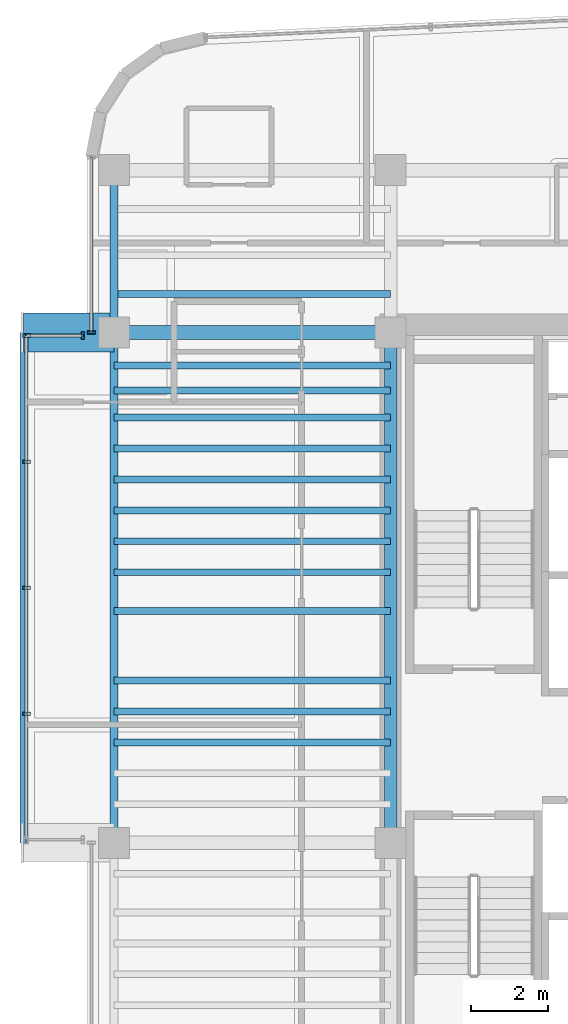
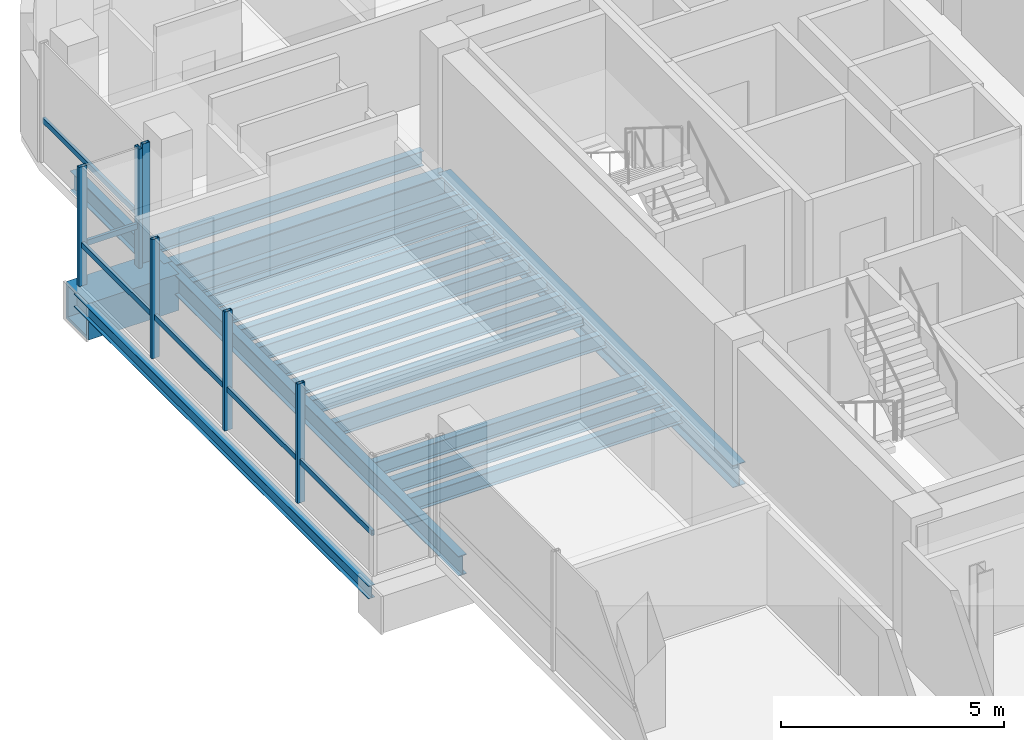
# One storey, part 6 of 18: 19 beams, 9 members, 3 elements without a shape of their own.
"""IFC4 building model written with IfcOpenShell, lengths in metres."""

from ifc_helpers import new_model, si_unit, direction, frame, origin, origin_2d, place, context, subcontext, project, spatial, hollow_rectangle, i_section, extrude, source, transform, mapped, material, material_profile, profile_set, type_object, element, aggregate, save


model = new_model("IFC4")

# Units and contexts
model_context = context("Model", 3, precision=1e-05, world=origin(), true_north=direction((0.0, 1.0)))
body_context = subcontext(model_context, "Body", "Model", "MODEL_VIEW")
ifc_project = project(units=[si_unit("LENGTHUNIT", "METRE"), si_unit("AREAUNIT", "SQUARE_METRE"), si_unit("VOLUMEUNIT", "CUBIC_METRE"), si_unit("PLANEANGLEUNIT", "RADIAN"), si_unit("MASSUNIT", "GRAM", prefix="KILO")], contexts=[model_context])

# Site, building, storey
site_placement = place(None, origin())
site = spatial("IfcSite", under=ifc_project, at=site_placement, CompositionType="ELEMENT")
building_placement = place(site_placement, origin())
building = spatial("IfcBuilding", under=site, at=building_placement, Name="Valdorenza Pilgrim Sanctuary Tower", CompositionType="ELEMENT")
storey_placement = place(building_placement, frame((0.0, 0.0, 247.5)))
storey = spatial("IfcBuildingStorey", under=building, at=storey_placement, Name="L64", CompositionType="ELEMENT", Elevation=247.5)

# Beams
ifc_material_1 = material(Name="Steel ASTM A992 Grade 50", Category="steel")
ifc_material_profile_1 = material_profile(ifc_material_1, i_section(OverallWidth=0.323974609375, OverallDepth=0.611083984375, WebThickness=0.0126953125, FlangeThickness=0.01904296875, at=origin_2d()), Name="W24X104")
ifc_profile_set_1 = profile_set([ifc_material_profile_1], Name="Steel ASTM A992 Grade 50")
beam_type_1 = type_object("IfcBeamType", Name="STR-BM-GRD-W24B", PredefinedType="BEAM", material=ifc_profile_set_1)
shared_shape_1 = source(origin(), body_context, "Body", "SweptSolid", [
    extrude(i_section(OverallWidth=0.323974609375, OverallDepth=0.611083984375, WebThickness=0.0126953125, FlangeThickness=0.01904296875, at=origin_2d()), origin(), (0.0, 0.0, 1.0), 13.2001953125),
])
beam_1_placement = place(storey_placement, frame((-22.64990234375, -2.60009765625, -0.54541015625), z_axis=(0.0, 1.0, 0.0), x_axis=(-1.0, 0.0, 0.0)))
element("IfcBeam", 1, at=beam_1_placement, inside=storey, type_object=beam_type_1, Name="L64 Core Tie Girder CA-W-M0N1", PredefinedType="BEAM", context=body_context, shape_type="MappedRepresentation", body=[
    mapped(shared_shape_1, transform((0.0, 0.0, 0.0), x_axis=(1.0, 0.0, 0.0), y_axis=(0.0, 1.0, 0.0), z_axis=(0.0, 0.0, 1.0), scale=1.0)),
])
ifc_material_profile_2 = material_profile(ifc_material_1, i_section(OverallWidth=0.1708984375, OverallDepth=0.35107421875, WebThickness=0.0068359375, FlangeThickness=0.009765625, at=origin_2d()), Name="W14X30")
ifc_profile_set_2 = profile_set([ifc_material_profile_2], Name="Steel ASTM A992 Grade 50")
beam_type_2 = type_object("IfcBeamType", Name="STR-BM-BOX-W14", PredefinedType="BEAM", material=ifc_profile_set_2)
shared_shape_2 = source(origin(), body_context, "Body", "SweptSolid", [
    extrude(i_section(OverallWidth=0.1708984375, OverallDepth=0.35107421875, WebThickness=0.0068359375, FlangeThickness=0.009765625, at=origin_2d()), origin(), (0.0, 0.0, 1.0), 13.2001953125),
])
beam_2_placement = place(storey_placement, frame((-32.14990234375, -2.60009765625, -0.41552734375), z_axis=(0.0, 1.0, 0.0), x_axis=(-1.0, 0.0, 0.0)))
element("IfcBeam", 2, at=beam_2_placement, inside=storey, type_object=beam_type_2, Name="L64 Glass Box Edge Beam BOX-WA-L64-F", PredefinedType="BEAM", context=body_context, shape_type="MappedRepresentation", body=[
    mapped(shared_shape_2, transform((0.0, 0.0, 0.0), x_axis=(1.0, 0.0, 0.0), y_axis=(0.0, 1.0, 0.0), z_axis=(0.0, 0.0, 1.0), scale=1.0)),
])
ifc_material_profile_3 = material_profile(ifc_material_1, i_section(OverallWidth=0.2109375, OverallDepth=0.5390625, WebThickness=0.01171875, FlangeThickness=0.018798828125, at=origin_2d()), Name="W21X73")
ifc_profile_set_3 = profile_set([ifc_material_profile_3], Name="Steel ASTM A992 Grade 50")
beam_type_3 = type_object("IfcBeamType", Name="STR-BM-SPN-W21B", PredefinedType="SPANDREL", material=ifc_profile_set_3)
shared_shape_3 = source(origin(), body_context, "Body", "SweptSolid", [
    extrude(i_section(OverallWidth=0.2109375, OverallDepth=0.5390625, WebThickness=0.01171875, FlangeThickness=0.018798828125, at=origin_2d()), origin(), (0.0, 0.0, 1.0), 13.2001953125),
])
beam_3_placement = place(storey_placement, frame((-29.800048828125, -2.60009765625, -0.509521484375), z_axis=(0.0, 1.0, 0.0), x_axis=(-1.0, 0.0, 0.0)))
element("IfcBeam", 3, at=beam_3_placement, inside=storey, type_object=beam_type_3, Name="L64 Spandrel Beam WA-W-M0N1", PredefinedType="SPANDREL", context=body_context, shape_type="MappedRepresentation", body=[
    mapped(shared_shape_3, transform((0.0, 0.0, 0.0), x_axis=(1.0, 0.0, 0.0), y_axis=(0.0, 1.0, 0.0), z_axis=(0.0, 0.0, 1.0), scale=1.0)),
])
shared_shape_4 = source(origin(), body_context, "Body", "SweptSolid", [
    extrude(i_section(OverallWidth=0.2109375, OverallDepth=0.5390625, WebThickness=0.01171875, FlangeThickness=0.018798828125, at=origin_2d()), origin(), (0.0, 0.0, 1.0), 4.199951171875),
])
beam_4_placement = place(storey_placement, frame((-29.800048828125, 10.60009765625, -0.509521484375), z_axis=(0.0, 1.0, 0.0), x_axis=(-1.0, 0.0, 0.0)))
element("IfcBeam", 4, at=beam_4_placement, inside=storey, type_object=beam_type_3, Name="L64 Spandrel Beam WA-W-N1N2", PredefinedType="SPANDREL", context=body_context, shape_type="MappedRepresentation", body=[
    mapped(shared_shape_4, transform((0.0, 0.0, 0.0), x_axis=(1.0, 0.0, 0.0), y_axis=(0.0, 1.0, 0.0), z_axis=(0.0, 0.0, 1.0), scale=1.0)),
])
ifc_material_profile_4 = material_profile(ifc_material_1, i_section(OverallWidth=0.35595703125, OverallDepth=0.700927734375, WebThickness=0.016845703125, FlangeThickness=0.02734375, at=origin_2d()), Name="W27X161")
ifc_profile_set_4 = profile_set([ifc_material_profile_4], Name="Steel ASTM A992 Grade 50")
beam_type_4 = type_object("IfcBeamType", Name="STR-BM-GRD-W27", PredefinedType="BEAM", material=ifc_profile_set_4)
shared_shape_5 = source(origin(), body_context, "Body", "SweptSolid", [
    extrude(i_section(OverallWidth=0.35595703125, OverallDepth=0.700927734375, WebThickness=0.016845703125, FlangeThickness=0.02734375, at=origin_2d()), origin(), (0.0, 0.0, 1.0), 7.150146484375),
])
beam_5_placement = place(storey_placement, frame((-29.800048828125, 10.60009765625, -0.590576171875), z_axis=(1.0, 0.0, 0.0), x_axis=(0.0, 1.0, 0.0)))
element("IfcBeam", 5, at=beam_5_placement, inside=storey, type_object=beam_type_4, Name="L64 Floor Girder WA-XW-N1", PredefinedType="BEAM", context=body_context, shape_type="MappedRepresentation", body=[
    mapped(shared_shape_5, transform((0.0, 0.0, 0.0), x_axis=(1.0, 0.0, 0.0), y_axis=(0.0, 1.0, 0.0), z_axis=(0.0, 0.0, 1.0), scale=1.0)),
])
ifc_material_profile_5 = material_profile(ifc_material_1, i_section(OverallWidth=0.177978515625, OverallDepth=0.406005859375, WebThickness=0.0078125, FlangeThickness=0.0126953125, at=origin_2d()), Name="W16X40")
ifc_profile_set_5 = profile_set([ifc_material_profile_5], Name="Steel ASTM A992 Grade 50")
beam_type_5 = type_object("IfcBeamType", Name="STR-BM-JST-W16", PredefinedType="JOIST", material=ifc_profile_set_5)
shared_shape_6 = source(origin(), body_context, "Body", "SweptSolid", [
    extrude(i_section(OverallWidth=0.177978515625, OverallDepth=0.406005859375, WebThickness=0.0078125, FlangeThickness=0.0126953125, at=origin_2d()), origin(), (0.0, 0.0, 1.0), 7.150146484375),
])
for number, where, z_axis, x_axis, name in (
    (6, (-29.800048828125, 0.0, -0.443115234375), (1.0, 0.0, 0.0), (0.0, 1.0, 0.0), "L64 Composite Floor Joist JST-WA-12"),
    (7, (-29.800048828125, 0.800048828125, -0.443115234375), (1.0, 0.0, 0.0), (0.0, 1.0, 0.0), "L64 Composite Floor Joist JST-WA-13"),
    (8, (-29.800048828125, 1.60009765625, -0.443115234375), (1.0, 0.0, 0.0), (0.0, 1.0, 0.0), "L64 Composite Floor Joist JST-WA-14"),
    (9, (-29.800048828125, 3.39990234375, -0.443115234375), (1.0, 0.0, 0.0), (0.0, 1.0, 0.0), "L64 Composite Floor Joist JST-WA-15"),
    (10, (-29.800048828125, 4.39990234375, -0.443115234375), (1.0, 0.0, 0.0), (0.0, 1.0, 0.0), "L64 Composite Floor Joist JST-WA-16"),
    (11, (-29.800048828125, 5.199951171875, -0.443115234375), (1.0, 0.0, 0.0), (0.0, 1.0, 0.0), "L64 Composite Floor Joist JST-WA-17"),
    (12, (-29.800048828125, 6.0, -0.443115234375), (1.0, 0.0, 0.0), (0.0, 1.0, 0.0), "L64 Composite Floor Joist JST-WA-18"),
    (13, (-29.800048828125, 6.800048828125, -0.443115234375), (1.0, 0.0, 0.0), (0.0, 1.0, 0.0), "L64 Composite Floor Joist JST-WA-19"),
    (14, (-29.800048828125, 7.60009765625, -0.443115234375), (1.0, 0.0, 0.0), (0.0, 1.0, 0.0), "L64 Composite Floor Joist JST-WA-20"),
    (15, (-29.800048828125, 8.39990234375, -0.443115234375), (1.0, 0.0, 0.0), (0.0, 1.0, 0.0), "L64 Composite Floor Joist JST-WA-21"),
    (16, (-29.800048828125, 9.10009765625, -0.443115234375), (1.0, 0.0, 0.0), (0.0, 1.0, 0.0), "L64 Composite Floor Joist JST-WA-22"),
    (17, (-29.800048828125, 9.75, -0.443115234375), (1.0, 0.0, 0.0), (0.0, 1.0, 0.0), "L64 Composite Floor Joist JST-WA-23"),
    (18, (-29.800048828125, 11.60009765625, -0.443115234375), (1.0, 0.0, 0.0), (0.0, 1.0, 0.0), "L64 Composite Floor Joist JST-WA-24"),
):
    element("IfcBeam", number, at=place(storey_placement, frame(where, z_axis=z_axis, x_axis=x_axis)), inside=storey, type_object=beam_type_5, Name=name, PredefinedType="JOIST", context=body_context, shape_type="MappedRepresentation", body=[
        mapped(shared_shape_6, transform((0.0, 0.0, 0.0), x_axis=(1.0, 0.0, 0.0), y_axis=(0.0, 1.0, 0.0), z_axis=(0.0, 0.0, 1.0), scale=1.0)),
    ])
ifc_material_2 = material(Name="Steel ASTM A572 Grade 42", Category="steel")
ifc_material_profile_6 = material_profile(ifc_material_2, hollow_rectangle(XDim=1.0, YDim=1.0, WallThickness=0.080078125, at=origin_2d()), Name="BOX 1000x1000x80")
ifc_profile_set_6 = profile_set([ifc_material_profile_6], Name="Steel ASTM A572 Grade 42")
beam_type_6 = type_object("IfcBeamType", Name="STR-BM-PROW-CANT", PredefinedType="BEAM", material=ifc_profile_set_6)
shared_shape_7 = source(origin(), body_context, "Body", "SweptSolid", [
    extrude(hollow_rectangle(XDim=1.0, YDim=1.0, WallThickness=0.080078125, at=origin_2d()), origin(), (0.0, 0.0, 1.0), 2.349853515625),
])
beam_6_placement = place(storey_placement, frame((-29.800048828125, 10.60009765625, -0.739990234375), z_axis=(-1.0, 0.0, 0.0), x_axis=(0.0, -1.0, 0.0)))
element("IfcBeam", 19, at=beam_6_placement, inside=storey, type_object=beam_type_6, Name="L64 Glass Box Cantilever Beam BOX-WA-L64-CT-N", PredefinedType="BEAM", context=body_context, shape_type="MappedRepresentation", body=[
    mapped(shared_shape_7, transform((0.0, 0.0, 0.0), x_axis=(1.0, 0.0, 0.0), y_axis=(0.0, 1.0, 0.0), z_axis=(0.0, 0.0, 1.0), scale=1.0)),
])

# Curtain wall, member
ifc_material_3 = material(Name="Curtain-wall IGU glazing", Category="glass")
curtain_wall_type = type_object("IfcCurtainWallType", Name="CW-SYS-02", PredefinedType="NOTDEFINED", material=ifc_material_3)
curtain_wall_1_placement = place(storey_placement, origin())
curtain_wall_1 = element("IfcCurtainWall", 20, at=curtain_wall_1_placement, inside=storey, type_object=curtain_wall_type, Name="L64 Curtain Wall CW-L64-BOX-WA-L64-N", PredefinedType="NOTDEFINED")
ifc_material_4 = material(Name="Anodised aluminium AW-6060", Category="aluminium")
ifc_material_profile_7 = material_profile(ifc_material_4, hollow_rectangle(XDim=0.074951171875, YDim=0.14990234375, WallThickness=0.00390625, at=origin_2d()), Name="ALU-T 150x75x4")
ifc_profile_set_7 = profile_set([ifc_material_profile_7], Name="Anodised aluminium AW-6060")
member_type_1 = type_object("IfcMemberType", Name="CW-TRN-02", PredefinedType="USERDEFINED", material=ifc_profile_set_7)
shared_shape_8 = source(origin(), body_context, "Body", "SweptSolid", [
    extrude(hollow_rectangle(XDim=0.074951171875, YDim=0.14990234375, WallThickness=0.00390625, at=origin_2d()), origin(), (0.0, 0.0, 1.0), 1.4599609375),
])
member_1_placement = place(storey_placement, frame((-32.070068359375, 10.52001953125, 1.1201171875), z_axis=(1.0, 0.0, 0.0), x_axis=(0.0, 1.0, 0.0)))
member_1 = element("IfcMember", 21, at=member_1_placement, type_object=member_type_1, Name="CW-L64-BOX-WA-L64-N Transom 1", ObjectType="TRANSOM", PredefinedType="USERDEFINED", context=body_context, shape_type="MappedRepresentation", body=[
    mapped(shared_shape_8, transform((0.0, 0.0, 0.0), x_axis=(1.0, 0.0, 0.0), y_axis=(0.0, 1.0, 0.0), z_axis=(0.0, 0.0, 1.0), scale=1.0)),
])

curtain_wall_2_placement = place(storey_placement, origin())
curtain_wall_2 = element("IfcCurtainWall", 22, at=curtain_wall_2_placement, inside=storey, type_object=curtain_wall_type, Name="L64 Curtain Wall CW-L64-BOX-WA-L64-F", PredefinedType="NOTDEFINED")
shared_shape_9 = source(origin(), body_context, "Body", "SweptSolid", [
    extrude(hollow_rectangle(XDim=0.074951171875, YDim=0.14990234375, WallThickness=0.00390625, at=origin_2d()), origin(), (0.0, 0.0, 1.0), 13.0400390625),
])
member_2_placement = place(storey_placement, frame((-32.070068359375, -2.52001953125, 1.1201171875), z_axis=(0.0, 1.0, 0.0), x_axis=(-1.0, 0.0, 0.0)))
member_2 = element("IfcMember", 23, at=member_2_placement, type_object=member_type_1, Name="CW-L64-BOX-WA-L64-F Transom 1", ObjectType="TRANSOM", PredefinedType="USERDEFINED", context=body_context, shape_type="MappedRepresentation", body=[
    mapped(shared_shape_9, transform((0.0, 0.0, 0.0), x_axis=(1.0, 0.0, 0.0), y_axis=(0.0, 1.0, 0.0), z_axis=(0.0, 0.0, 1.0), scale=1.0)),
])

curtain_wall_3_placement = place(storey_placement, origin())
curtain_wall_3 = element("IfcCurtainWall", 24, at=curtain_wall_3_placement, inside=storey, type_object=curtain_wall_type, Name="L64 Curtain Wall CW-L64-1-1S2", PredefinedType="NOTDEFINED")
ifc_material_profile_8 = material_profile(ifc_material_4, hollow_rectangle(XDim=0.0849609375, YDim=0.199951171875, WallThickness=0.0048828125, at=origin_2d()), Name="ALU-M 200x85x5")
ifc_profile_set_8 = profile_set([ifc_material_profile_8], Name="Anodised aluminium AW-6060")
member_type_2 = type_object("IfcMemberType", Name="CW-MUL-02", PredefinedType="MULLION", material=ifc_profile_set_8)
shared_shape_10 = source(origin(), body_context, "Body", "SweptSolid", [
    extrude(hollow_rectangle(XDim=0.0849609375, YDim=0.199951171875, WallThickness=0.0048828125, at=origin_2d()), origin(), (0.0, 0.0, 1.0), 3.260009765625),
])
member_3_placement = place(storey_placement, frame((-30.389892578125, 10.60009765625, 0.0), z_axis=(0.0, 0.0, 1.0), x_axis=(0.0, 1.0, 0.0)))
member_3 = element("IfcMember", 25, at=member_3_placement, type_object=member_type_2, Name="CW-L64-1-1S2 Mullion 1", PredefinedType="MULLION", context=body_context, shape_type="MappedRepresentation", body=[
    mapped(shared_shape_10, transform((0.0, 0.0, 0.0), x_axis=(1.0, 0.0, 0.0), y_axis=(0.0, 1.0, 0.0), z_axis=(0.0, 0.0, 1.0), scale=1.0)),
])

# Member
member_4_placement = place(storey_placement, frame((-32.070068359375, 0.739990234375, 0.0), z_axis=(0.0, 0.0, 1.0), x_axis=(0.0, 1.0, 0.0)))
member_4 = element("IfcMember", 26, at=member_4_placement, type_object=member_type_2, Name="CW-L64-BOX-WA-L64-F Mullion 2", PredefinedType="MULLION", context=body_context, shape_type="MappedRepresentation", body=[
    mapped(shared_shape_10, transform((0.0, 0.0, 0.0), x_axis=(1.0, 0.0, 0.0), y_axis=(0.0, 1.0, 0.0), z_axis=(0.0, 0.0, 1.0), scale=1.0)),
])

member_5_placement = place(storey_placement, frame((-32.070068359375, 4.0, 0.0), z_axis=(0.0, 0.0, 1.0), x_axis=(0.0, 1.0, 0.0)))
member_5 = element("IfcMember", 27, at=member_5_placement, type_object=member_type_2, Name="CW-L64-BOX-WA-L64-F Mullion 3", PredefinedType="MULLION", context=body_context, shape_type="MappedRepresentation", body=[
    mapped(shared_shape_10, transform((0.0, 0.0, 0.0), x_axis=(1.0, 0.0, 0.0), y_axis=(0.0, 1.0, 0.0), z_axis=(0.0, 0.0, 1.0), scale=1.0)),
])

member_6_placement = place(storey_placement, frame((-32.070068359375, 7.260009765625, 0.0), z_axis=(0.0, 0.0, 1.0), x_axis=(0.0, 1.0, 0.0)))
member_6 = element("IfcMember", 28, at=member_6_placement, type_object=member_type_2, Name="CW-L64-BOX-WA-L64-F Mullion 4", PredefinedType="MULLION", context=body_context, shape_type="MappedRepresentation", body=[
    mapped(shared_shape_10, transform((0.0, 0.0, 0.0), x_axis=(1.0, 0.0, 0.0), y_axis=(0.0, 1.0, 0.0), z_axis=(0.0, 0.0, 1.0), scale=1.0)),
])

member_7_placement = place(storey_placement, frame((-32.070068359375, 10.52001953125, 0.0), z_axis=(0.0, 0.0, 1.0), x_axis=(0.0, 1.0, 0.0)))
member_7 = element("IfcMember", 29, at=member_7_placement, type_object=member_type_2, Name="CW-L64-BOX-WA-L64-F Mullion 5", PredefinedType="MULLION", context=body_context, shape_type="MappedRepresentation", body=[
    mapped(shared_shape_10, transform((0.0, 0.0, 0.0), x_axis=(1.0, 0.0, 0.0), y_axis=(0.0, 1.0, 0.0), z_axis=(0.0, 0.0, 1.0), scale=1.0)),
])

aggregate(curtain_wall_2, [member_4, member_5, member_6, member_7, member_2])

member_8_placement = place(storey_placement, frame((-30.610107421875, 10.52001953125, 0.0), z_axis=(0.0, 0.0, 1.0), x_axis=(1.0, 0.0, 0.0)))
member_8 = element("IfcMember", 30, at=member_8_placement, type_object=member_type_2, Name="CW-L64-BOX-WA-L64-N Mullion 2", PredefinedType="MULLION", context=body_context, shape_type="MappedRepresentation", body=[
    mapped(shared_shape_10, transform((0.0, 0.0, 0.0), x_axis=(1.0, 0.0, 0.0), y_axis=(0.0, 1.0, 0.0), z_axis=(0.0, 0.0, 1.0), scale=1.0)),
])

aggregate(curtain_wall_1, [member_8, member_1])

shared_shape_11 = source(origin(), body_context, "Body", "SweptSolid", [
    extrude(hollow_rectangle(XDim=0.074951171875, YDim=0.14990234375, WallThickness=0.00390625, at=origin_2d()), origin(), (0.0, 0.0, 1.0), 4.53662109375),
])
member_9_placement = place(storey_placement, frame((-30.389892578125, 10.60009765625, 1.1201171875), z_axis=(0.0, 1.0, 0.0), x_axis=(-1.0, 0.0, 0.0)))
member_9 = element("IfcMember", 31, at=member_9_placement, type_object=member_type_1, Name="CW-L64-1-1S2 Transom 1", ObjectType="TRANSOM", PredefinedType="USERDEFINED", context=body_context, shape_type="MappedRepresentation", body=[
    mapped(shared_shape_11, transform((0.0, 0.0, 0.0), x_axis=(1.0, 0.0, 0.0), y_axis=(0.0, 1.0, 0.0), z_axis=(0.0, 0.0, 1.0), scale=1.0)),
])

aggregate(curtain_wall_3, [member_3, member_9])

save(model, "model.ifc")
